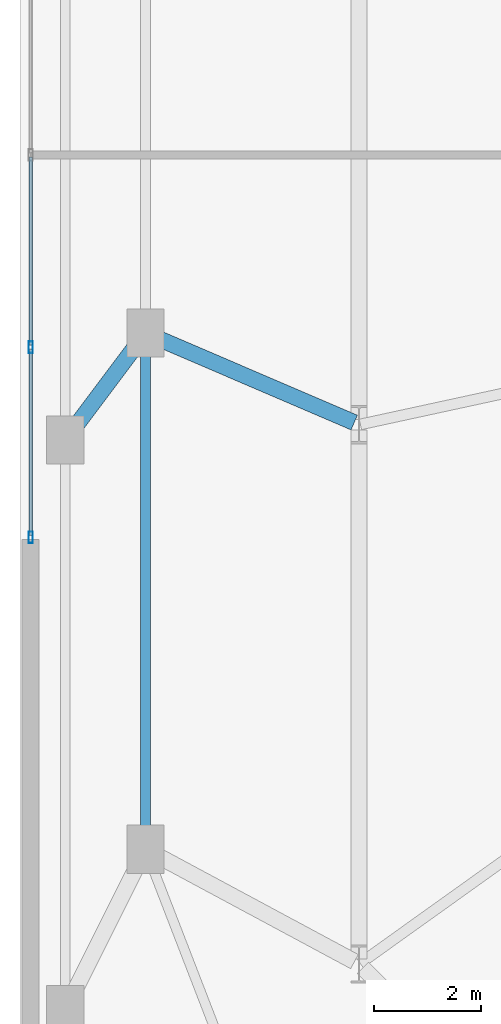
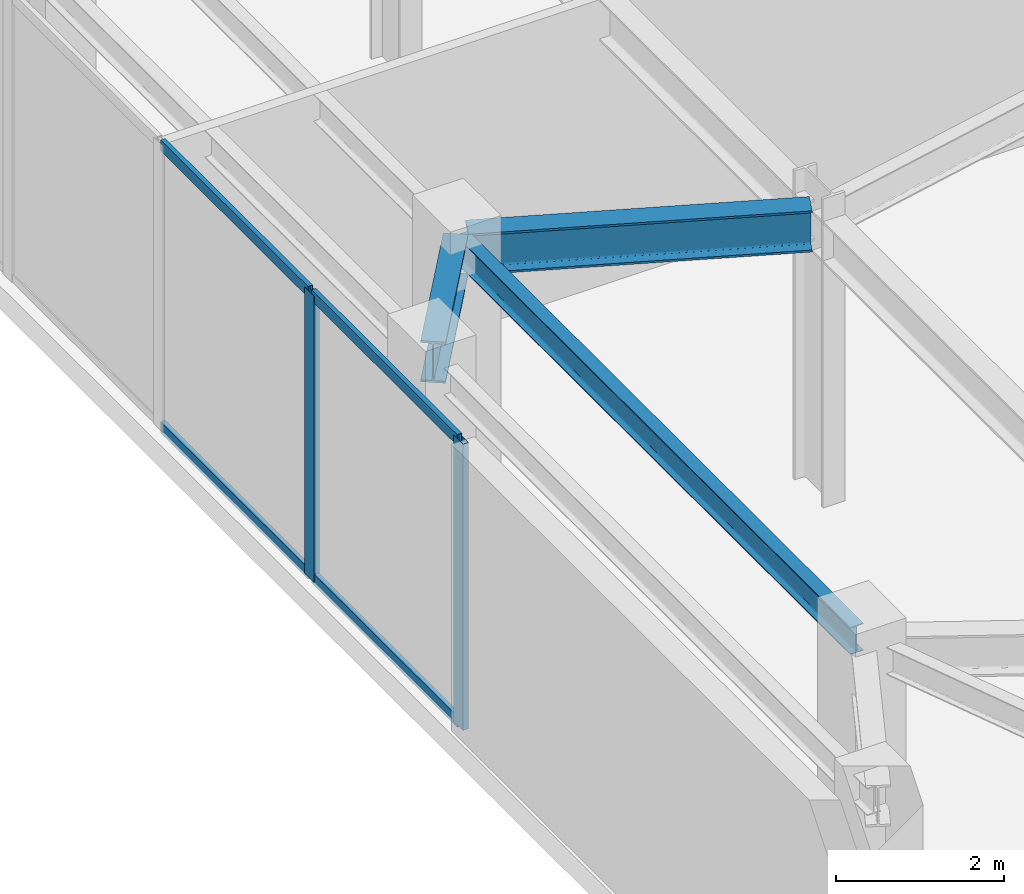
# One storey, part 5 of 23: 6 members, 3 beams, 1 element without a shape of its own.
"""IFC4 building model written with IfcOpenShell, lengths in metres."""

import ifcopenshell
import ifcopenshell.guid

model = None  # the IFC model being written
_history = None  # IfcOwnerHistory: only IFC2X3 demands one
_inside = {}  # id of a spatial element -> (the spatial element, [elements in it])
_under = {}  # id of a project, library or spatial element -> (it, [spatial elements below it])
_declared = {}  # id of a project -> (the project, [libraries it declares])
_typed = {}  # id of a type object -> (the type object, [elements of that type])
_made_of = {}  # id of a material, layer set ... -> (it, [elements and type objects made of it])


def new_model(schema):
    """Start an empty IFC model of exactly this schema.

    Asked for "IFC4X3", IfcOpenShell would pick the latest addendum, in which some entities
    have other attributes; the version numbers below select the first issue.
    IFC2X3 requires an IfcOwnerHistory on every rooted entity: one is made here for all.
    """
    global model, _history
    if schema == "IFC4X3":
        model = ifcopenshell.file(schema_version=(4, 3, 0, 0))
    else:
        model = ifcopenshell.file(schema=schema)
    _inside.clear()
    _under.clear()
    _declared.clear()
    _typed.clear()
    _made_of.clear()
    _history = None
    if model.schema == "IFC2X3":
        org = make("IfcOrganization", Name="unknown")
        user = make(
            "IfcPersonAndOrganization",
            ThePerson=make("IfcPerson", FamilyName="unknown"),
            TheOrganization=org,
        )
        app = make(
            "IfcApplication",
            ApplicationDeveloper=org,
            Version="unknown",
            ApplicationFullName="unknown",
            ApplicationIdentifier="unknown",
        )
        _history = make(
            "IfcOwnerHistory",
            OwningUser=user,
            OwningApplication=app,
            ChangeAction="ADDED",
            CreationDate=0,
        )
    return model


def make(cls, **values):
    """One entity of the class cls with the attributes given. An attribute that is None is left unset."""
    return model.create_entity(
        cls, **{name: value for name, value in values.items() if value is not None}
    )


def rooted(cls, **values):
    """An entity with a GlobalId (a new one), such as an element, a storey or a relation."""
    return make(cls, GlobalId=ifcopenshell.guid.new(), OwnerHistory=_history, **values)


def si_unit(unit_type, name, prefix=None):
    """IfcSIUnit, for example si_unit("LENGTHUNIT", "METRE", prefix="MILLI")."""
    return make("IfcSIUnit", UnitType=unit_type, Prefix=prefix, Name=name)


def assignment(units):
    """IfcUnitAssignment: the units of a project."""
    return None if units is None else make("IfcUnitAssignment", Units=units)


def point(xyz):
    """IfcCartesianPoint."""
    return None if xyz is None else make("IfcCartesianPoint", Coordinates=xyz)


def direction(xyz):
    """IfcDirection."""
    return None if xyz is None else make("IfcDirection", DirectionRatios=xyz)


def frame(location, z_axis=None, x_axis=None):
    """IfcAxis2Placement3D, a coordinate frame: its origin and axes. An axis left out is left unset."""
    return make(
        "IfcAxis2Placement3D",
        Location=point(location),
        Axis=direction(z_axis),
        RefDirection=direction(x_axis),
    )


def frame_2d(location, x_axis=None):
    """IfcAxis2Placement2D, a coordinate frame in the plane: its origin and x axis."""
    return make(
        "IfcAxis2Placement2D", Location=point(location), RefDirection=direction(x_axis)
    )


def origin():
    """The frame at (0, 0, 0) with its axes left unset."""
    return frame((0.0, 0.0, 0.0))


def origin_2d():
    """The frame at (0, 0) in the plane with its x axis left unset."""
    return frame_2d((0.0, 0.0))


def place(relative_to, where):
    """IfcLocalPlacement: puts the frame where relative to a parent placement (None: the world)."""
    return make(
        "IfcLocalPlacement", PlacementRelTo=relative_to, RelativePlacement=where
    )


def context(
    kind, dimensions, precision=None, world=None, true_north=None, identifier=None
):
    """IfcGeometricRepresentationContext, for example the 3D "Model" context."""
    return make(
        "IfcGeometricRepresentationContext",
        ContextIdentifier=identifier,
        ContextType=kind,
        CoordinateSpaceDimension=dimensions,
        Precision=precision,
        WorldCoordinateSystem=world,
        TrueNorth=true_north,
    )


def subcontext(parent, identifier, kind, view, scale=None):
    """IfcGeometricRepresentationSubContext, for example "Body" below "Model"."""
    return make(
        "IfcGeometricRepresentationSubContext",
        ContextIdentifier=identifier,
        ContextType=kind,
        ParentContext=parent,
        TargetScale=scale,
        TargetView=view,
    )


def project(units=None, contexts=None):
    """IfcProject with its units and contexts."""
    return rooted(
        "IfcProject",
        Name="project",
        RepresentationContexts=contexts,
        UnitsInContext=assignment(units),
    )


def spatial(cls, under=None, at=None, **own):
    """A site, building, storey or space (cls), placed at a placement, below another one or the project."""
    s = rooted(cls, ObjectPlacement=at, **own)
    if under is not None:
        _under.setdefault(under.id(), (under, []))[1].append(s)
    return s


def profile(cls, at=None, kind="AREA", **sizes):
    """A parametric profile (cls). Its sizes go by their IFC names, for example OverallWidth=200.0."""
    return make(cls, ProfileType=kind, Position=at, **sizes)


def hollow_rectangle(**sizes):
    """IfcRectangleHollowProfileDef."""
    return profile("IfcRectangleHollowProfileDef", **sizes)


def i_section(**sizes):
    """IfcIShapeProfileDef."""
    return profile("IfcIShapeProfileDef", **sizes)


def extrude(swept, where, along, depth):
    """IfcExtrudedAreaSolid: the profile swept, set in the frame where, extruded along a direction by depth."""
    return make(
        "IfcExtrudedAreaSolid",
        SweptArea=swept,
        Position=where,
        ExtrudedDirection=direction(along),
        Depth=depth,
    )


def shape(context_of_items, identifier, shape_type, items):
    """IfcShapeRepresentation: the items that make up one representation, for example the "Body"."""
    return make(
        "IfcShapeRepresentation",
        ContextOfItems=context_of_items,
        RepresentationIdentifier=identifier,
        RepresentationType=shape_type,
        Items=items,
    )


def material(Name=None, Category=None):
    """IfcMaterial."""
    return make("IfcMaterial", Name=Name, Category=Category)


def layer(
    of_material, thickness, ventilated=None, Name=None, Category=None, Priority=None
):
    """IfcMaterialLayer: one layer of a wall or slab, of a material (None: an air gap)."""
    return make(
        "IfcMaterialLayer",
        Material=of_material,
        LayerThickness=thickness,
        IsVentilated=ventilated,
        Name=Name,
        Category=Category,
        Priority=Priority,
    )


def layer_set(layers, Name=None):
    """IfcMaterialLayerSet."""
    return make("IfcMaterialLayerSet", MaterialLayers=layers, LayerSetName=Name)


def material_profile(
    of_material, cross_section, Name=None, Category=None, Priority=None
):
    """IfcMaterialProfile: a cross section and its material."""
    return make(
        "IfcMaterialProfile",
        Name=Name,
        Material=of_material,
        Profile=cross_section,
        Priority=Priority,
        Category=Category,
    )


def profile_set(profiles, Name=None, composite=None):
    """IfcMaterialProfileSet."""
    return make(
        "IfcMaterialProfileSet",
        Name=Name,
        MaterialProfiles=profiles,
        CompositeProfile=composite,
    )


def made_of(thing, what):
    """Note that an element or type object is made of a material, layer set ...; save() writes the relation."""
    if what is not None:
        _made_of.setdefault(what.id(), (what, []))[1].append(thing)
    return thing


def type_object(cls, material=None, **own):
    """A type object (cls), such as IfcWallType, which elements share."""
    return made_of(rooted(cls, **own), material)


def element(
    cls,
    number,
    at=None,
    inside=None,
    cuts=None,
    type_object=None,
    material=None,
    context=None,
    identifier="Body",
    shape_type=None,
    held_by="IfcProductDefinitionShape",
    body=None,
    shapes=None,
    **own,
):
    """One element of the class cls, such as IfcWall. Its Tag is "e" and its number.

    at: its placement. inside: the storey or other place that contains it. cuts: it is an
    opening in that element (IfcRelVoidsElement). A single representation is given by context,
    identifier, shape_type and body (its items); several are given by shapes. held_by: the class
    of the entity that holds the representations. save() writes the other relations.
    """
    e = rooted(cls, Tag="e%d" % number, ObjectPlacement=at, **own)
    if body is not None:
        shapes = [shape(context, identifier, shape_type, body)]
    if shapes is not None:
        e.Representation = make(held_by, Representations=shapes)
    if inside is not None:
        _inside.setdefault(inside.id(), (inside, []))[1].append(e)
    if cuts is not None:
        rooted(
            "IfcRelVoidsElement", RelatingBuildingElement=cuts, RelatedOpeningElement=e
        )
    if type_object is not None:
        _typed.setdefault(type_object.id(), (type_object, []))[1].append(e)
    return made_of(e, material)


def aggregate(whole, parts):
    """IfcRelAggregates: a whole, such as a stair, and the parts it consists of."""
    return rooted("IfcRelAggregates", RelatingObject=whole, RelatedObjects=parts)


def save(model, path):
    """Write the relations noted so far, then the file.

    IfcRelAggregates (storeys below a building ...), IfcRelContainedInSpatialStructure (elements
    in a storey), IfcRelDefinesByType, IfcRelAssociatesMaterial and IfcRelDeclares: one each for
    every whole, place, type object, material and project.
    """
    for whole, parts in _under.values():
        aggregate(whole, parts)
    for where, things in _inside.values():
        rooted(
            "IfcRelContainedInSpatialStructure",
            RelatedElements=things,
            RelatingStructure=where,
        )
    for kind, things in _typed.values():
        rooted("IfcRelDefinesByType", RelatedObjects=things, RelatingType=kind)
    for what, things in _made_of.values():
        rooted("IfcRelAssociatesMaterial", RelatedObjects=things, RelatingMaterial=what)
    for by, libraries in _declared.values():
        rooted("IfcRelDeclares", RelatingContext=by, RelatedDefinitions=libraries)
    model.write(path)


model = new_model("IFC4")

# Units and contexts
model_context = context("Model", 3, precision=1e-05, world=origin(), true_north=direction((0.0, 1.0)))
body_context = subcontext(model_context, "Body", "Model", "MODEL_VIEW")
ifc_project = project(units=[si_unit("LENGTHUNIT", "METRE"), si_unit("AREAUNIT", "SQUARE_METRE"), si_unit("VOLUMEUNIT", "CUBIC_METRE"), si_unit("PLANEANGLEUNIT", "RADIAN"), si_unit("MASSUNIT", "GRAM", prefix="KILO")], contexts=[model_context])

# Site, building, storey
site_placement = place(None, origin())
site = spatial("IfcSite", under=ifc_project, at=site_placement, CompositionType="ELEMENT")
building_placement = place(site_placement, origin())
building = spatial("IfcBuilding", under=site, at=building_placement, Name="Qobustan Lattice House", CompositionType="ELEMENT")
storey_placement = place(building_placement, frame((0.0, 0.0, 9.0)))
storey = spatial("IfcBuildingStorey", under=building, at=storey_placement, Name="L02", CompositionType="ELEMENT", Elevation=9.0)

# Beams
ifc_material_1 = material(Name="Steel S355", Category="steel")
ifc_material_profile_1 = material_profile(ifc_material_1, i_section(OverallWidth=0.300048828125, OverallDepth=0.60009765625, WebThickness=0.015380859375, FlangeThickness=0.030029296875, FilletRadius=0.027099609375, at=origin_2d()), Name="HEB600")
ifc_profile_set_1 = profile_set([ifc_material_profile_1], Name="Steel S355")
beam_type_1 = type_object("IfcBeamType", Name="BM-POD-HEB600", PredefinedType="USERDEFINED", material=ifc_profile_set_1)
beam_1_placement = place(storey_placement, frame((-37.577880859375, -5.2373046875, 3.8701171875), z_axis=(0.599965431752, 0.800025925019, 0.0), x_axis=(-0.800025925019, 0.599965431752, 0.0)))
element("IfcBeam", 1, at=beam_1_placement, inside=storey, type_object=beam_type_1, Name="L02 setback tie girder PWL2", ObjectType="GIRDER", PredefinedType="USERDEFINED", context=body_context, shape_type="SweptSolid", body=[
    extrude(i_section(OverallWidth=0.300048828125, OverallDepth=0.60009765625, WebThickness=0.015380859375, FlangeThickness=0.030029296875, FilletRadius=0.027099609375, at=origin_2d()), origin(), (0.0, 0.0, 1.0), 2.260009765625),
])
beam_2_placement = place(storey_placement, frame((-36.039794921875, -3.380615234375, 3.8701171875), z_axis=(0.918949362679, -0.394375542893, 0.0), x_axis=(0.394375542893, 0.918949362679, 0.0)))
element("IfcBeam", 2, at=beam_2_placement, inside=storey, type_object=beam_type_1, Name="L02 podium radial girder PW2", ObjectType="GIRDER", PredefinedType="USERDEFINED", context=body_context, shape_type="SweptSolid", body=[
    extrude(i_section(OverallWidth=0.300048828125, OverallDepth=0.60009765625, WebThickness=0.015380859375, FlangeThickness=0.030029296875, FilletRadius=0.027099609375, at=origin_2d()), origin(), (0.0, 0.0, 1.0), 4.1328125),
])
ifc_material_2 = material(Name="Steel S355", Category="steel")
ifc_material_profile_2 = material_profile(ifc_material_2, i_section(OverallWidth=0.179931640625, OverallDepth=0.39990234375, WebThickness=0.008544921875, FlangeThickness=0.013427734375, FilletRadius=0.02099609375, at=origin_2d()), Name="IPE400")
ifc_profile_set_2 = profile_set([ifc_material_profile_2], Name="Steel S355")
beam_type_2 = type_object("IfcBeamType", Name="BM-SPD-IPE400", PredefinedType="SPANDREL", material=ifc_profile_set_2)
beam_3_placement = place(storey_placement, frame((-36.14990234375, -12.8798828125, 3.969970703125), z_axis=(0.0, 1.0, 0.0), x_axis=(-1.0, 0.0, 0.0)))
element("IfcBeam", 3, at=beam_3_placement, inside=storey, type_object=beam_type_2, Name="L02 podium spandrel PW1-PW2", PredefinedType="SPANDREL", context=body_context, shape_type="SweptSolid", body=[
    extrude(i_section(OverallWidth=0.179931640625, OverallDepth=0.39990234375, WebThickness=0.008544921875, FlangeThickness=0.013427734375, FilletRadius=0.02099609375, at=origin_2d()), origin(), (0.0, 0.0, 1.0), 9.426513671875),
])

# Curtain wall, members
ifc_material_3 = material(Name="Anodised aluminium and low-E glazing", Category="aluminium")
ifc_layer = layer(ifc_material_3, 0.219970703125)
ifc_layer_set = layer_set([ifc_layer], Name="Anodised aluminium and low-E glazing")
curtain_wall_type = type_object("IfcCurtainWallType", Name="CW-POD-01", PredefinedType="USERDEFINED", material=ifc_layer_set)
curtain_wall_placement = place(storey_placement, origin())
curtain_wall = element("IfcCurtainWall", 4, at=curtain_wall_placement, inside=storey, type_object=curtain_wall_type, Name="L02 W podium colonnade curtain wall", ObjectType="CURTAIN WALL", PredefinedType="USERDEFINED")
ifc_material_4 = material(Name="Anodised aluminium EN AW-6063 T6", Category="aluminium")
ifc_material_profile_3 = material_profile(ifc_material_4, hollow_rectangle(XDim=0.080078125, YDim=0.219970703125, WallThickness=0.0048828125, at=origin_2d()), Name="CWM-220x80")
ifc_profile_set_3 = profile_set([ifc_material_profile_3], Name="Anodised aluminium EN AW-6063 T6")
member_type_1 = type_object("IfcMemberType", Name="CWM-MAIN-220", PredefinedType="MULLION", material=ifc_profile_set_3)
member_1_placement = place(storey_placement, frame((-38.300048828125, -7.159912109375, 0.0), z_axis=(0.0, 0.0, 1.0), x_axis=(-1.0, 0.0, 0.0)))
member_1 = element("IfcMember", 5, at=member_1_placement, type_object=member_type_1, Name="CW-P1 mullion 1", PredefinedType="MULLION", context=body_context, shape_type="SweptSolid", body=[
    extrude(hollow_rectangle(XDim=0.080078125, YDim=0.219970703125, WallThickness=0.0048828125, at=origin_2d()), origin(), (0.0, 0.0, 1.0), 4.169921875),
])
member_2_placement = place(storey_placement, frame((-38.300048828125, -3.60009765625, 0.0), z_axis=(0.0, 0.0, 1.0), x_axis=(-1.0, 0.0, 0.0)))
member_2 = element("IfcMember", 6, at=member_2_placement, type_object=member_type_1, Name="CW-P1 mullion 2", PredefinedType="MULLION", context=body_context, shape_type="SweptSolid", body=[
    extrude(hollow_rectangle(XDim=0.080078125, YDim=0.219970703125, WallThickness=0.0048828125, at=origin_2d()), origin(), (0.0, 0.0, 1.0), 4.169921875),
])
ifc_material_5 = material(Name="Anodised aluminium EN AW-6063 T6", Category="aluminium")
ifc_material_profile_4 = material_profile(ifc_material_5, hollow_rectangle(XDim=0.06494140625, YDim=0.159912109375, WallThickness=0.00390625, at=origin_2d()), Name="CWT-160x65")
ifc_profile_set_4 = profile_set([ifc_material_profile_4], Name="Anodised aluminium EN AW-6063 T6")
member_type_2 = type_object("IfcMemberType", Name="CWT-HOR-160", PredefinedType="USERDEFINED", material=ifc_profile_set_4)
member_3_placement = place(storey_placement, frame((-38.300048828125, -7.1201171875, 0.032470703125), z_axis=(0.0, 1.0, 0.0), x_axis=(-1.0, 0.0, 0.0)))
member_3 = element("IfcMember", 7, at=member_3_placement, type_object=member_type_2, Name="CW-P1 transom 1.1", ObjectType="TRANSOM", PredefinedType="USERDEFINED", context=body_context, shape_type="SweptSolid", body=[
    extrude(hollow_rectangle(XDim=0.06494140625, YDim=0.159912109375, WallThickness=0.00390625, at=origin_2d()), origin(), (0.0, 0.0, 1.0), 3.480224609375),
])
member_4_placement = place(storey_placement, frame((-38.300048828125, -7.1201171875, 4.137451171875), z_axis=(0.0, 1.0, 0.0), x_axis=(-1.0, 0.0, 0.0)))
member_4 = element("IfcMember", 8, at=member_4_placement, type_object=member_type_2, Name="CW-P1 transom 1.2", ObjectType="TRANSOM", PredefinedType="USERDEFINED", context=body_context, shape_type="SweptSolid", body=[
    extrude(hollow_rectangle(XDim=0.06494140625, YDim=0.159912109375, WallThickness=0.00390625, at=origin_2d()), origin(), (0.0, 0.0, 1.0), 3.480224609375),
])
member_5_placement = place(storey_placement, frame((-38.300048828125, -3.56005859375, 0.032470703125), z_axis=(0.0, 1.0, 0.0), x_axis=(-1.0, 0.0, 0.0)))
member_5 = element("IfcMember", 9, at=member_5_placement, type_object=member_type_2, Name="CW-P1 transom 2.1", ObjectType="TRANSOM", PredefinedType="USERDEFINED", context=body_context, shape_type="SweptSolid", body=[
    extrude(hollow_rectangle(XDim=0.06494140625, YDim=0.159912109375, WallThickness=0.00390625, at=origin_2d()), origin(), (0.0, 0.0, 1.0), 3.52001953125),
])
member_6_placement = place(storey_placement, frame((-38.300048828125, -3.56005859375, 4.137451171875), z_axis=(0.0, 1.0, 0.0), x_axis=(-1.0, 0.0, 0.0)))
member_6 = element("IfcMember", 10, at=member_6_placement, type_object=member_type_2, Name="CW-P1 transom 2.2", ObjectType="TRANSOM", PredefinedType="USERDEFINED", context=body_context, shape_type="SweptSolid", body=[
    extrude(hollow_rectangle(XDim=0.06494140625, YDim=0.159912109375, WallThickness=0.00390625, at=origin_2d()), origin(), (0.0, 0.0, 1.0), 3.52001953125),
])
aggregate(curtain_wall, [member_1, member_2, member_3, member_4, member_5, member_6])

save(model, "model.ifc")
